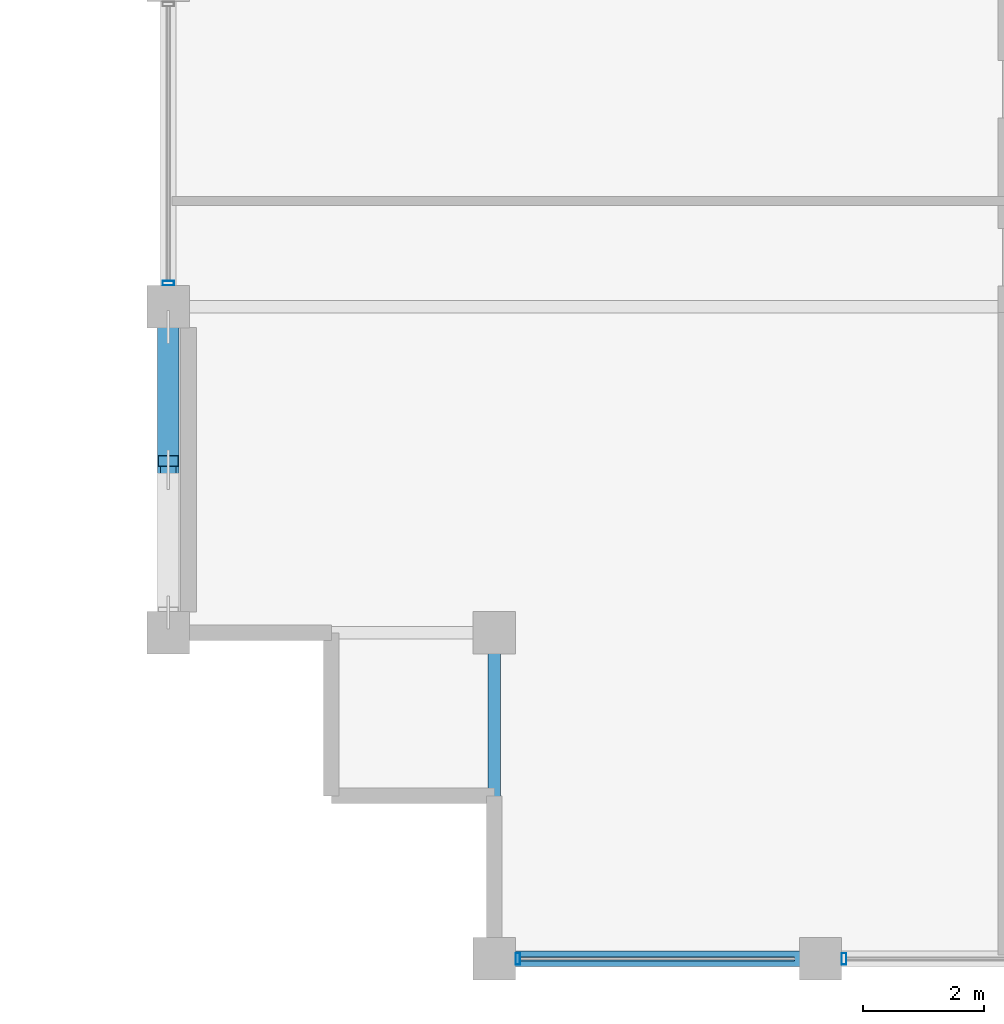
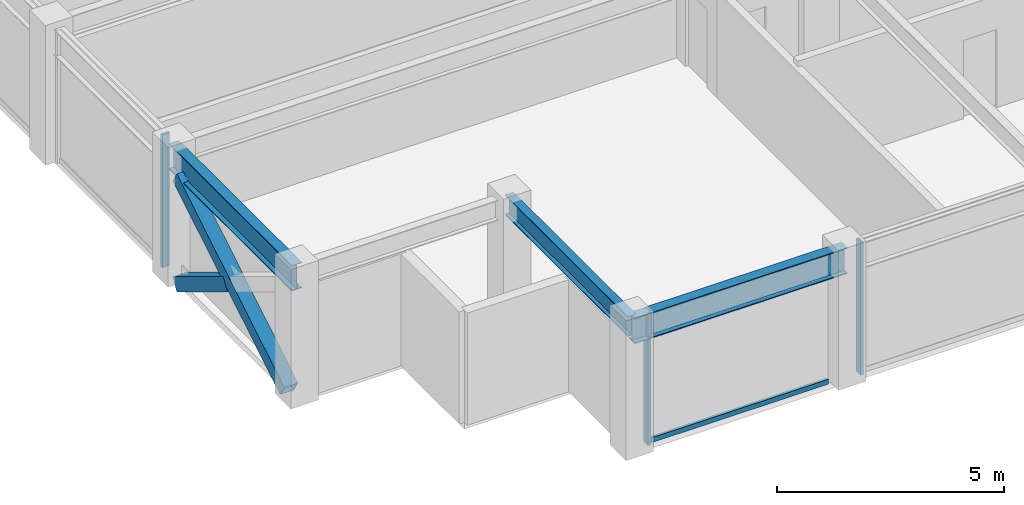
# One storey, part 2 of 29: 6 members, 3 beams, 2 elements without a shape of their own.
"""IFC4 building model written with IfcOpenShell, lengths in metres."""

from ifc_helpers import new_model, si_unit, direction, frame, origin, origin_2d, place, context, subcontext, project, spatial, hollow_rectangle, i_section, extrude, material, layer, layer_set, material_profile, profile_set, type_object, element, aggregate, save


model = new_model("IFC4")

# Units and contexts
model_context = context("Model", 3, precision=1e-05, world=origin(), true_north=direction((0.0, 1.0)))
body_context = subcontext(model_context, "Body", "Model", "MODEL_VIEW")
ifc_project = project(units=[si_unit("LENGTHUNIT", "METRE"), si_unit("AREAUNIT", "SQUARE_METRE"), si_unit("VOLUMEUNIT", "CUBIC_METRE"), si_unit("PLANEANGLEUNIT", "RADIAN"), si_unit("MASSUNIT", "GRAM", prefix="KILO")], contexts=[model_context])

# Site, building, storey
site_placement = place(None, origin())
site = spatial("IfcSite", under=ifc_project, at=site_placement, CompositionType="ELEMENT")
building_placement = place(site_placement, origin())
building = spatial("IfcBuilding", under=site, at=building_placement, Name="Surkhivell Harbour Commons", CompositionType="ELEMENT")
storey_placement = place(building_placement, frame((0.0, 0.0, 326.25)))
storey = spatial("IfcBuildingStorey", under=building, at=storey_placement, Name="L85", CompositionType="ELEMENT", Elevation=326.25)

# Beams
ifc_material_1 = material(Name="Steel S355", Category="steel")
ifc_material_profile_1 = material_profile(ifc_material_1, i_section(OverallWidth=0.2099609375, OverallDepth=0.537109375, WebThickness=0.0107421875, FlangeThickness=0.017333984375, at=origin_2d()), Name="UB533x210x101")
ifc_profile_set_1 = profile_set([ifc_material_profile_1], Name="Steel S355")
beam_type_1 = type_object("IfcBeamType", Name="BM-GRD-533B", PredefinedType="BEAM", material=ifc_profile_set_1)
beam_1_placement = place(storey_placement, frame((-21.60009765625, -21.60009765625, 3.301513671875), z_axis=(0.0, 1.0, 0.0), x_axis=(-1.0, 0.0, 0.0)))
element("IfcBeam", 1, at=beam_1_placement, inside=storey, type_object=beam_type_1, Name="L85 Floor Girder (-21.6,-21.6)", PredefinedType="BEAM", context=body_context, shape_type="SweptSolid", body=[
    extrude(i_section(OverallWidth=0.2099609375, OverallDepth=0.537109375, WebThickness=0.0107421875, FlangeThickness=0.017333984375, at=origin_2d()), origin(), (0.0, 0.0, 1.0), 5.400146484375),
])
ifc_material_profile_2 = material_profile(ifc_material_1, i_section(OverallWidth=0.256103515625, OverallDepth=0.693115234375, WebThickness=0.014404296875, FlangeThickness=0.023681640625, at=origin_2d()), Name="UB686x254x170")
ifc_profile_set_2 = profile_set([ifc_material_profile_2], Name="Steel S355")
beam_type_2 = type_object("IfcBeamType", Name="BM-SPN-686", PredefinedType="SPANDREL", material=ifc_profile_set_2)
beam_2_placement = place(storey_placement, frame((-27.0, -16.199951171875, 3.223388671875), z_axis=(0.0, 1.0, 0.0), x_axis=(-1.0, 0.0, 0.0)))
element("IfcBeam", 2, at=beam_2_placement, inside=storey, type_object=beam_type_2, Name="L85 Tube Spandrel (-27.0,-16.2)", PredefinedType="SPANDREL", context=body_context, shape_type="SweptSolid", body=[
    extrude(i_section(OverallWidth=0.256103515625, OverallDepth=0.693115234375, WebThickness=0.014404296875, FlangeThickness=0.023681640625, at=origin_2d()), origin(), (0.0, 0.0, 1.0), 5.39990234375),
])
beam_3_placement = place(storey_placement, frame((-21.60009765625, -21.60009765625, 3.223388671875), z_axis=(1.0, 0.0, 0.0), x_axis=(0.0, 1.0, 0.0)))
element("IfcBeam", 3, at=beam_3_placement, inside=storey, type_object=beam_type_2, Name="L85 Tube Spandrel (-21.6,-21.6)", PredefinedType="SPANDREL", context=body_context, shape_type="SweptSolid", body=[
    extrude(i_section(OverallWidth=0.256103515625, OverallDepth=0.693115234375, WebThickness=0.014404296875, FlangeThickness=0.023681640625, at=origin_2d()), origin(), (0.0, 0.0, 1.0), 5.400146484375),
])

# Curtain wall, members
ifc_material_2 = material(Name="Anodised pale-metal aluminium and insulated glazing", Category="aluminium")
ifc_layer = layer(ifc_material_2, 0.175048828125)
ifc_layer_set = layer_set([ifc_layer], Name="Anodised pale-metal aluminium and insulated glazing")
curtain_wall_type = type_object("IfcCurtainWallType", Name="CW-SYS-Z4", PredefinedType="NOTDEFINED", material=ifc_layer_set)
curtain_wall_1_placement = place(storey_placement, origin())
curtain_wall_1 = element("IfcCurtainWall", 4, at=curtain_wall_1_placement, inside=storey, type_object=curtain_wall_type, Name="L85 Curtain Wall CW-L85-E00S1", PredefinedType="NOTDEFINED")
ifc_material_3 = material(Name="Anodised pale-metal aluminium alloy 6063-T6", Category="aluminium")
ifc_material_profile_3 = material_profile(ifc_material_3, hollow_rectangle(XDim=0.074951171875, YDim=0.18994140625, WallThickness=0.00390625, at=origin_2d()), Name="ALU-MULL-75x190")
ifc_profile_set_3 = profile_set([ifc_material_profile_3], Name="Anodised pale-metal aluminium alloy 6063-T6")
member_type_1 = type_object("IfcMemberType", Name="CWM-190", PredefinedType="MULLION", material=ifc_profile_set_3)
member_1_placement = place(storey_placement, frame((-21.21044921875, -21.60009765625, 0.0), z_axis=(0.0, 0.0, 1.0), x_axis=(1.0, 0.0, 0.0)))
member_1 = element("IfcMember", 5, at=member_1_placement, type_object=member_type_1, Name="CW-Z4 mullion 1", PredefinedType="MULLION", context=body_context, shape_type="SweptSolid", body=[
    extrude(hollow_rectangle(XDim=0.074951171875, YDim=0.18994140625, WallThickness=0.00390625, at=origin_2d()), origin(), (0.0, 0.0, 1.0), 3.570068359375),
])
member_2_placement = place(storey_placement, frame((-15.810546875, -21.60009765625, 0.0), z_axis=(0.0, 0.0, 1.0), x_axis=(1.0, 0.0, 0.0)))
member_2 = element("IfcMember", 6, at=member_2_placement, type_object=member_type_1, Name="CW-Z4 mullion 2", PredefinedType="MULLION", context=body_context, shape_type="SweptSolid", body=[
    extrude(hollow_rectangle(XDim=0.074951171875, YDim=0.18994140625, WallThickness=0.00390625, at=origin_2d()), origin(), (0.0, 0.0, 1.0), 3.570068359375),
])

# Curtain wall, member
curtain_wall_2_placement = place(storey_placement, origin())
curtain_wall_2 = element("IfcCurtainWall", 7, at=curtain_wall_2_placement, inside=storey, type_object=curtain_wall_type, Name="L85 Curtain Wall CW-L85-E12S1", PredefinedType="NOTDEFINED")
member_3_placement = place(storey_placement, frame((-27.0, -10.410400390625, 0.0), z_axis=(0.0, 0.0, 1.0), x_axis=(0.0, -1.0, 0.0)))
member_3 = element("IfcMember", 8, at=member_3_placement, type_object=member_type_1, Name="CW-Z4 mullion 7", PredefinedType="MULLION", context=body_context, shape_type="SweptSolid", body=[
    extrude(hollow_rectangle(XDim=0.074951171875, YDim=0.18994140625, WallThickness=0.00390625, at=origin_2d()), origin(), (0.0, 0.0, 1.0), 3.570068359375),
])
aggregate(curtain_wall_2, [member_3])

# Member
ifc_material_4 = material(Name="Champagne anodised aluminium alloy 6063-T6", Category="aluminium")
ifc_material_profile_4 = material_profile(ifc_material_4, hollow_rectangle(XDim=0.070068359375, YDim=0.1298828125, WallThickness=0.00341796875, at=origin_2d()), Name="ALU-TRAN-70x130")
ifc_profile_set_4 = profile_set([ifc_material_profile_4], Name="Champagne anodised aluminium alloy 6063-T6")
member_type_2 = type_object("IfcMemberType", Name="CWT-130", PredefinedType="USERDEFINED", material=ifc_profile_set_4)
member_4_placement = place(storey_placement, frame((-21.173095703125, -21.60009765625, 0.06494140625), z_axis=(1.0, 0.0, 0.0), x_axis=(0.0, 1.0, 0.0)))
member_4 = element("IfcMember", 9, at=member_4_placement, type_object=member_type_2, Name="CW-Z4 transom 1.1", ObjectType="TRANSOM", PredefinedType="USERDEFINED", context=body_context, shape_type="SweptSolid", body=[
    extrude(hollow_rectangle(XDim=0.070068359375, YDim=0.1298828125, WallThickness=0.00341796875, at=origin_2d()), origin(), (0.0, 0.0, 1.0), 4.546142578125),
])

aggregate(curtain_wall_1, [member_1, member_4, member_2])

# Members
ifc_material_profile_5 = material_profile(ifc_material_1, hollow_rectangle(XDim=0.35009765625, YDim=0.35009765625, WallThickness=0.01611328125, at=origin_2d()), Name="SHS350x350x16")
ifc_profile_set_5 = profile_set([ifc_material_profile_5], Name="Steel S355")
member_type_3 = type_object("IfcMemberType", Name="MEM-BRC-SHS350", PredefinedType="BRACE", material=ifc_profile_set_5)
member_5_placement = place(storey_placement, frame((-27.0, -15.864990234375, 0.008056640625), z_axis=(0.0, 0.854685454322, 0.519146197299), x_axis=(-1.0, 0.0, 0.0)))
element("IfcMember", 10, at=member_5_placement, inside=storey, type_object=member_type_3, Name="L85 Perimeter Mega-Brace MB- 10", PredefinedType="BRACE", context=body_context, shape_type="SweptSolid", body=[
    extrude(hollow_rectangle(XDim=0.35009765625, YDim=0.35009765625, WallThickness=0.01611328125, at=origin_2d()), origin(), (0.0, 0.0, 1.0), 5.5341796875),
])
member_6_placement = place(storey_placement, frame((-27.0, -11.135009765625, 0.008056640625), z_axis=(0.0, -0.854678858595, 0.51915705588), x_axis=(1.0, 0.0, 0.0)))
element("IfcMember", 11, at=member_6_placement, inside=storey, type_object=member_type_3, Name="L85 Perimeter Mega-Brace MB- 11", PredefinedType="BRACE", context=body_context, shape_type="SweptSolid", body=[
    extrude(hollow_rectangle(XDim=0.35009765625, YDim=0.35009765625, WallThickness=0.01611328125, at=origin_2d()), origin(), (0.0, 0.0, 1.0), 2.59912109375),
])

save(model, "model.ifc")
